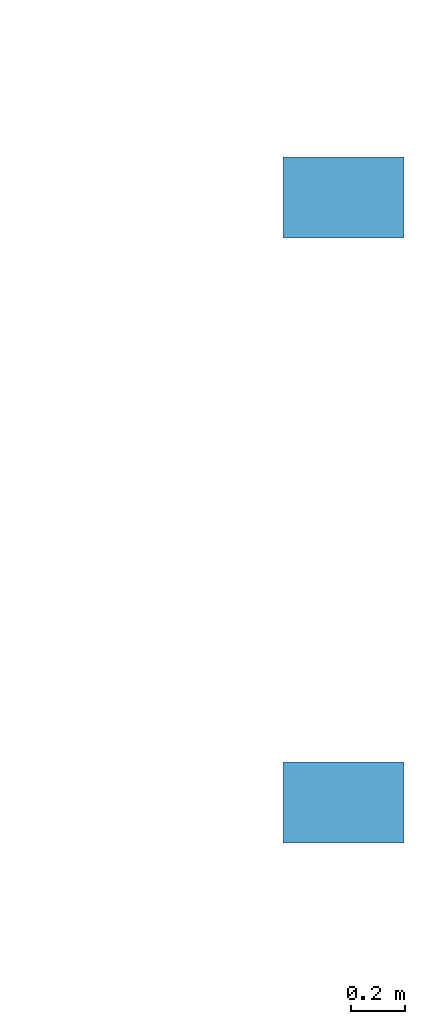
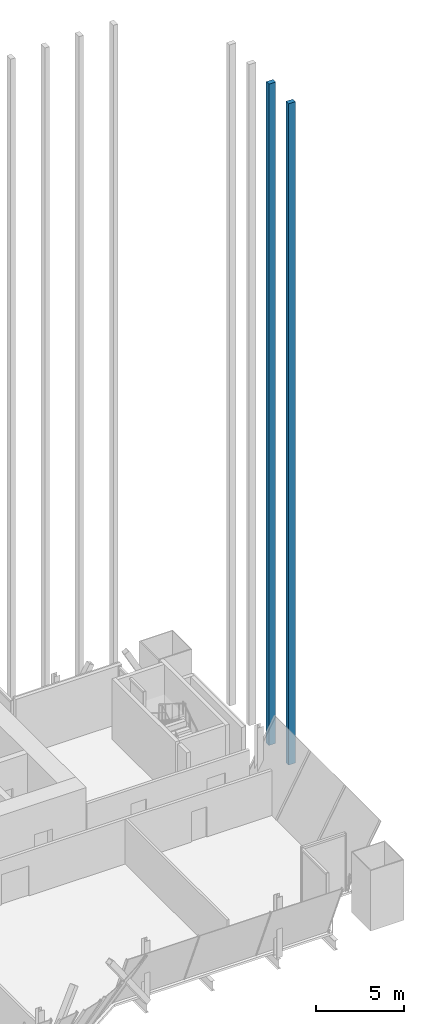
# One storey, part 20 of 28: 2 members, 1 element without a shape of its own.
"""IFC4 building model written with IfcOpenShell, lengths in metres."""

from ifc_helpers import new_model, si_unit, direction, frame, origin, origin_2d, place, context, subcontext, project, spatial, rectangle, extrude, material, material_profile, profile_set, type_object, element, aggregate, save


model = new_model("IFC4")

# Units and contexts
model_context = context("Model", 3, precision=1e-05, world=origin(), true_north=direction((0.0, 1.0)))
body_context = subcontext(model_context, "Body", "Model", "MODEL_VIEW")
ifc_project = project(units=[si_unit("LENGTHUNIT", "METRE"), si_unit("AREAUNIT", "SQUARE_METRE"), si_unit("VOLUMEUNIT", "CUBIC_METRE"), si_unit("PLANEANGLEUNIT", "RADIAN"), si_unit("MASSUNIT", "GRAM", prefix="KILO")], contexts=[model_context])

# Site, building, storey
site_placement = place(None, origin())
site = spatial("IfcSite", under=ifc_project, at=site_placement, CompositionType="ELEMENT")
building_placement = place(site_placement, origin())
building = spatial("IfcBuilding", under=site, at=building_placement, Name="Bicima Exchange Tower", CompositionType="ELEMENT")
storey_placement = place(building_placement, frame((0.0, 0.0, 241.39990234375)))
storey = spatial("IfcBuildingStorey", under=building, at=storey_placement, Name="L54", CompositionType="ELEMENT", Elevation=241.39990234375)

# Curtain wall, members
ifc_material = material(Name="Anodised bronze aluminium", Category="aluminium")
curtain_wall_type = type_object("IfcCurtainWallType", Name="Rear blade screen", PredefinedType="NOTDEFINED", material=ifc_material)
curtain_wall_placement = place(storey_placement, origin())
curtain_wall = element("IfcCurtainWall", 1, at=curtain_wall_placement, inside=storey, type_object=curtain_wall_type, Name="End blade screen L54-L64", PredefinedType="NOTDEFINED")
ifc_material_profile = material_profile(ifc_material, rectangle(XDim=0.449951171875, YDim=0.300048828125, at=origin_2d()))
ifc_profile_set = profile_set([ifc_material_profile], Name="Anodised bronze aluminium")
member_type = type_object("IfcMemberType", Name="Rear blade fin 450 x 300", PredefinedType="USERDEFINED", material=ifc_profile_set)
member_1_placement = place(storey_placement, frame((36.324951171875, -11.5, 0.0), z_axis=(0.0, 0.0, 1.0), x_axis=(1.0, 0.0, 0.0)))
member_1 = element("IfcMember", 2, at=member_1_placement, type_object=member_type, Name="End blade fin L54-L64 1", ObjectType="FIN", PredefinedType="USERDEFINED", context=body_context, shape_type="SweptSolid", body=[
    extrude(rectangle(XDim=0.449951171875, YDim=0.300048828125, at=origin_2d()), origin(), (0.0, 0.0, 1.0), 46.0),
])
member_2_placement = place(storey_placement, frame((36.324951171875, -9.25, 0.0), z_axis=(0.0, 0.0, 1.0), x_axis=(1.0, 0.0, 0.0)))
member_2 = element("IfcMember", 3, at=member_2_placement, type_object=member_type, Name="End blade fin L54-L64 2", ObjectType="FIN", PredefinedType="USERDEFINED", context=body_context, shape_type="SweptSolid", body=[
    extrude(rectangle(XDim=0.449951171875, YDim=0.300048828125, at=origin_2d()), origin(), (0.0, 0.0, 1.0), 46.0),
])
aggregate(curtain_wall, [member_1, member_2])

save(model, "model.ifc")
